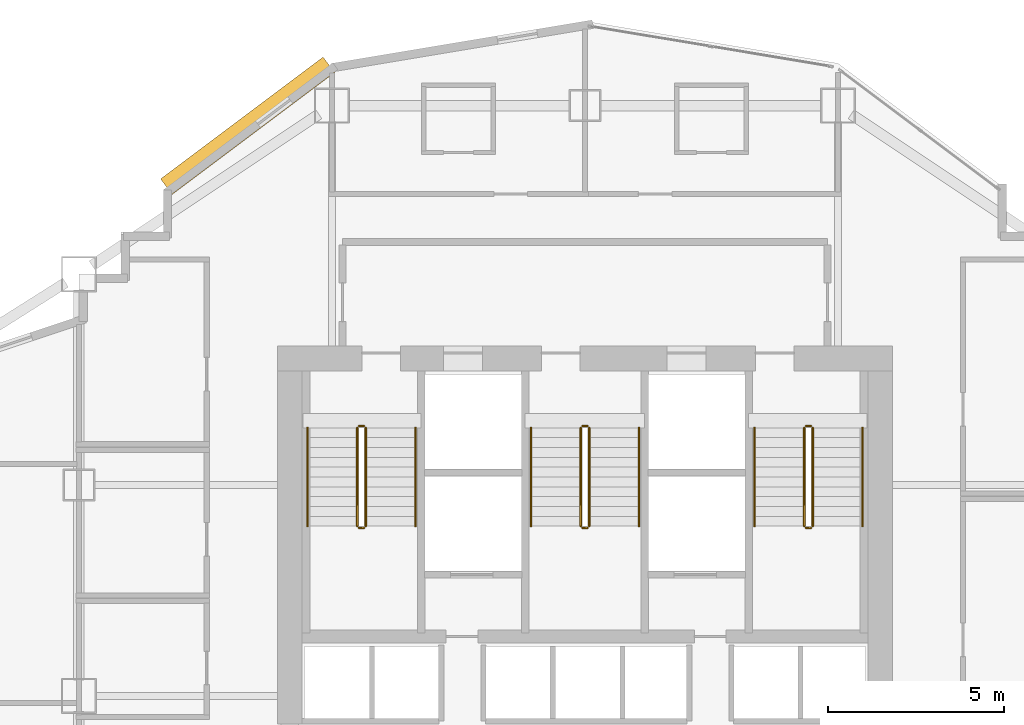
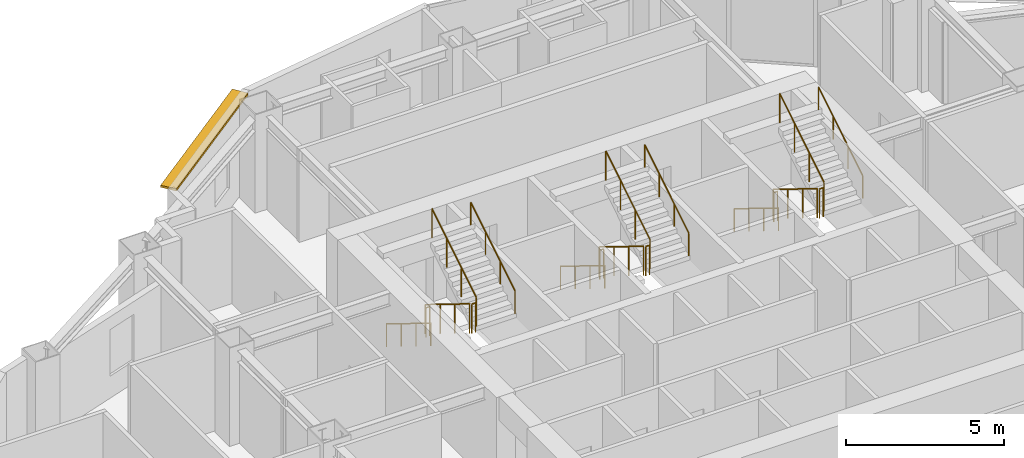
# One storey, part 12 of 13: 18 railings, 1 shading device.
"""IFC4 building model written with IfcOpenShell, lengths in metres."""

import ifcopenshell
import ifcopenshell.guid

model = None  # the IFC model being written
_history = None  # IfcOwnerHistory: only IFC2X3 demands one
_inside = {}  # id of a spatial element -> (the spatial element, [elements in it])
_under = {}  # id of a project, library or spatial element -> (it, [spatial elements below it])
_declared = {}  # id of a project -> (the project, [libraries it declares])
_typed = {}  # id of a type object -> (the type object, [elements of that type])
_made_of = {}  # id of a material, layer set ... -> (it, [elements and type objects made of it])


def new_model(schema):
    """Start an empty IFC model of exactly this schema.

    Asked for "IFC4X3", IfcOpenShell would pick the latest addendum, in which some entities
    have other attributes; the version numbers below select the first issue.
    IFC2X3 requires an IfcOwnerHistory on every rooted entity: one is made here for all.
    """
    global model, _history
    if schema == "IFC4X3":
        model = ifcopenshell.file(schema_version=(4, 3, 0, 0))
    else:
        model = ifcopenshell.file(schema=schema)
    _inside.clear()
    _under.clear()
    _declared.clear()
    _typed.clear()
    _made_of.clear()
    _history = None
    if model.schema == "IFC2X3":
        org = make("IfcOrganization", Name="unknown")
        user = make(
            "IfcPersonAndOrganization",
            ThePerson=make("IfcPerson", FamilyName="unknown"),
            TheOrganization=org,
        )
        app = make(
            "IfcApplication",
            ApplicationDeveloper=org,
            Version="unknown",
            ApplicationFullName="unknown",
            ApplicationIdentifier="unknown",
        )
        _history = make(
            "IfcOwnerHistory",
            OwningUser=user,
            OwningApplication=app,
            ChangeAction="ADDED",
            CreationDate=0,
        )
    return model


def make(cls, **values):
    """One entity of the class cls with the attributes given. An attribute that is None is left unset."""
    return model.create_entity(
        cls, **{name: value for name, value in values.items() if value is not None}
    )


def rooted(cls, **values):
    """An entity with a GlobalId (a new one), such as an element, a storey or a relation."""
    return make(cls, GlobalId=ifcopenshell.guid.new(), OwnerHistory=_history, **values)


def si_unit(unit_type, name, prefix=None):
    """IfcSIUnit, for example si_unit("LENGTHUNIT", "METRE", prefix="MILLI")."""
    return make("IfcSIUnit", UnitType=unit_type, Prefix=prefix, Name=name)


def assignment(units):
    """IfcUnitAssignment: the units of a project."""
    return None if units is None else make("IfcUnitAssignment", Units=units)


def point(xyz):
    """IfcCartesianPoint."""
    return None if xyz is None else make("IfcCartesianPoint", Coordinates=xyz)


def direction(xyz):
    """IfcDirection."""
    return None if xyz is None else make("IfcDirection", DirectionRatios=xyz)


def frame(location, z_axis=None, x_axis=None):
    """IfcAxis2Placement3D, a coordinate frame: its origin and axes. An axis left out is left unset."""
    return make(
        "IfcAxis2Placement3D",
        Location=point(location),
        Axis=direction(z_axis),
        RefDirection=direction(x_axis),
    )


def frame_2d(location, x_axis=None):
    """IfcAxis2Placement2D, a coordinate frame in the plane: its origin and x axis."""
    return make(
        "IfcAxis2Placement2D", Location=point(location), RefDirection=direction(x_axis)
    )


def origin():
    """The frame at (0, 0, 0) with its axes left unset."""
    return frame((0.0, 0.0, 0.0))


def origin_2d():
    """The frame at (0, 0) in the plane with its x axis left unset."""
    return frame_2d((0.0, 0.0))


def place(relative_to, where):
    """IfcLocalPlacement: puts the frame where relative to a parent placement (None: the world)."""
    return make(
        "IfcLocalPlacement", PlacementRelTo=relative_to, RelativePlacement=where
    )


def context(
    kind, dimensions, precision=None, world=None, true_north=None, identifier=None
):
    """IfcGeometricRepresentationContext, for example the 3D "Model" context."""
    return make(
        "IfcGeometricRepresentationContext",
        ContextIdentifier=identifier,
        ContextType=kind,
        CoordinateSpaceDimension=dimensions,
        Precision=precision,
        WorldCoordinateSystem=world,
        TrueNorth=true_north,
    )


def subcontext(parent, identifier, kind, view, scale=None):
    """IfcGeometricRepresentationSubContext, for example "Body" below "Model"."""
    return make(
        "IfcGeometricRepresentationSubContext",
        ContextIdentifier=identifier,
        ContextType=kind,
        ParentContext=parent,
        TargetScale=scale,
        TargetView=view,
    )


def project(units=None, contexts=None):
    """IfcProject with its units and contexts."""
    return rooted(
        "IfcProject",
        Name="project",
        RepresentationContexts=contexts,
        UnitsInContext=assignment(units),
    )


def spatial(cls, under=None, at=None, **own):
    """A site, building, storey or space (cls), placed at a placement, below another one or the project."""
    s = rooted(cls, ObjectPlacement=at, **own)
    if under is not None:
        _under.setdefault(under.id(), (under, []))[1].append(s)
    return s


def profile(cls, at=None, kind="AREA", **sizes):
    """A parametric profile (cls). Its sizes go by their IFC names, for example OverallWidth=200.0."""
    return make(cls, ProfileType=kind, Position=at, **sizes)


def rectangle(**sizes):
    """IfcRectangleProfileDef."""
    return profile("IfcRectangleProfileDef", **sizes)


def circle(**sizes):
    """IfcCircleProfileDef."""
    return profile("IfcCircleProfileDef", **sizes)


def extrude(swept, where, along, depth):
    """IfcExtrudedAreaSolid: the profile swept, set in the frame where, extruded along a direction by depth."""
    return make(
        "IfcExtrudedAreaSolid",
        SweptArea=swept,
        Position=where,
        ExtrudedDirection=direction(along),
        Depth=depth,
    )


def shape(context_of_items, identifier, shape_type, items):
    """IfcShapeRepresentation: the items that make up one representation, for example the "Body"."""
    return make(
        "IfcShapeRepresentation",
        ContextOfItems=context_of_items,
        RepresentationIdentifier=identifier,
        RepresentationType=shape_type,
        Items=items,
    )


def material(Name=None, Category=None):
    """IfcMaterial."""
    return make("IfcMaterial", Name=Name, Category=Category)


def layer(
    of_material, thickness, ventilated=None, Name=None, Category=None, Priority=None
):
    """IfcMaterialLayer: one layer of a wall or slab, of a material (None: an air gap)."""
    return make(
        "IfcMaterialLayer",
        Material=of_material,
        LayerThickness=thickness,
        IsVentilated=ventilated,
        Name=Name,
        Category=Category,
        Priority=Priority,
    )


def layer_set(layers, Name=None):
    """IfcMaterialLayerSet."""
    return make("IfcMaterialLayerSet", MaterialLayers=layers, LayerSetName=Name)


def made_of(thing, what):
    """Note that an element or type object is made of a material, layer set ...; save() writes the relation."""
    if what is not None:
        _made_of.setdefault(what.id(), (what, []))[1].append(thing)
    return thing


def type_object(cls, material=None, **own):
    """A type object (cls), such as IfcWallType, which elements share."""
    return made_of(rooted(cls, **own), material)


def element(
    cls,
    number,
    at=None,
    inside=None,
    cuts=None,
    type_object=None,
    material=None,
    context=None,
    identifier="Body",
    shape_type=None,
    held_by="IfcProductDefinitionShape",
    body=None,
    shapes=None,
    **own,
):
    """One element of the class cls, such as IfcWall. Its Tag is "e" and its number.

    at: its placement. inside: the storey or other place that contains it. cuts: it is an
    opening in that element (IfcRelVoidsElement). A single representation is given by context,
    identifier, shape_type and body (its items); several are given by shapes. held_by: the class
    of the entity that holds the representations. save() writes the other relations.
    """
    e = rooted(cls, Tag="e%d" % number, ObjectPlacement=at, **own)
    if body is not None:
        shapes = [shape(context, identifier, shape_type, body)]
    if shapes is not None:
        e.Representation = make(held_by, Representations=shapes)
    if inside is not None:
        _inside.setdefault(inside.id(), (inside, []))[1].append(e)
    if cuts is not None:
        rooted(
            "IfcRelVoidsElement", RelatingBuildingElement=cuts, RelatedOpeningElement=e
        )
    if type_object is not None:
        _typed.setdefault(type_object.id(), (type_object, []))[1].append(e)
    return made_of(e, material)


def aggregate(whole, parts):
    """IfcRelAggregates: a whole, such as a stair, and the parts it consists of."""
    return rooted("IfcRelAggregates", RelatingObject=whole, RelatedObjects=parts)


def save(model, path):
    """Write the relations noted so far, then the file.

    IfcRelAggregates (storeys below a building ...), IfcRelContainedInSpatialStructure (elements
    in a storey), IfcRelDefinesByType, IfcRelAssociatesMaterial and IfcRelDeclares: one each for
    every whole, place, type object, material and project.
    """
    for whole, parts in _under.values():
        aggregate(whole, parts)
    for where, things in _inside.values():
        rooted(
            "IfcRelContainedInSpatialStructure",
            RelatedElements=things,
            RelatingStructure=where,
        )
    for kind, things in _typed.values():
        rooted("IfcRelDefinesByType", RelatedObjects=things, RelatingType=kind)
    for what, things in _made_of.values():
        rooted("IfcRelAssociatesMaterial", RelatedObjects=things, RelatingMaterial=what)
    for by, libraries in _declared.values():
        rooted("IfcRelDeclares", RelatingContext=by, RelatedDefinitions=libraries)
    model.write(path)


model = new_model("IFC4")

# Units and contexts
model_context = context("Model", 3, precision=1e-05, world=origin(), true_north=direction((0.0, 1.0)))
body_context = subcontext(model_context, "Body", "Model", "MODEL_VIEW")
ifc_project = project(units=[si_unit("LENGTHUNIT", "METRE"), si_unit("AREAUNIT", "SQUARE_METRE"), si_unit("VOLUMEUNIT", "CUBIC_METRE"), si_unit("PLANEANGLEUNIT", "RADIAN"), si_unit("MASSUNIT", "GRAM", prefix="KILO")], contexts=[model_context])

# Site, building, storey
site_placement = place(None, origin())
site = spatial("IfcSite", under=ifc_project, at=site_placement, CompositionType="ELEMENT")
building_placement = place(site_placement, origin())
building = spatial("IfcBuilding", under=site, at=building_placement, Name="Haolan Belvedere Tower", CompositionType="ELEMENT")
storey_placement = place(building_placement, frame((0.0, 0.0, 102.199951171875)))
storey = spatial("IfcBuildingStorey", under=building, at=storey_placement, Name="L25", CompositionType="ELEMENT", Elevation=102.199951171875)

# Railings
ifc_material_1 = material(Name="Brushed stainless steel 304", Category="steel")
railing_type_1 = type_object("IfcRailingType", Name="RL-STAIR-GRD-1150", PredefinedType="GUARDRAIL", material=ifc_material_1)
railing_1_placement = place(storey_placement, frame((31.919921875, 41.22998046875, 0.1728515625)))
element("IfcRailing", 1, at=railing_1_placement, inside=storey, type_object=railing_type_1, Name="L25 ST1 stair guard 1", PredefinedType="GUARDRAIL", context=body_context, shape_type="SweptSolid", body=[
    extrude(circle(Radius=0.02392578125, at=origin_2d()), frame((0.0, 0.0, 1.1259765625), z_axis=(0.0, -0.851089632645, 0.525020415988), x_axis=(1.0, 0.0, 0.0)), (0.0, 0.0, 1.0), 3.2900390625),
    extrude(circle(Radius=0.02099609375, at=origin_2d()), origin(), (0.0, 0.0, 1.0), 1.101806640625),
    extrude(circle(Radius=0.02099609375, at=origin_2d()), frame((0.0, -0.933349609375, 0.57568359375)), (0.0, 0.0, 1.0), 1.101806640625),
    extrude(circle(Radius=0.02099609375, at=origin_2d()), frame((0.0, -1.86669921875, 1.151611328125)), (0.0, 0.0, 1.0), 1.101806640625),
    extrude(circle(Radius=0.02099609375, at=origin_2d()), frame((0.0, -2.800048828125, 1.727294921875)), (0.0, 0.0, 1.0), 1.101806640625),
])
railing_2_placement = place(storey_placement, frame((31.969970703125, 38.3798828125, 1.900146484375)))
element("IfcRailing", 2, at=railing_2_placement, inside=storey, type_object=railing_type_1, Name="L25 ST1 stair guard 2", PredefinedType="GUARDRAIL", context=body_context, shape_type="SweptSolid", body=[
    extrude(circle(Radius=0.02392578125, at=origin_2d()), frame((0.0, 0.0, 1.1259765625), z_axis=(1.0, 0.0, 0.0), x_axis=(0.0, 1.0, 0.0)), (0.0, 0.0, 1.0), 0.14013671875),
    extrude(circle(Radius=0.02099609375, at=origin_2d()), origin(), (0.0, 0.0, 1.0), 1.101806640625),
    extrude(circle(Radius=0.02099609375, at=origin_2d()), frame((0.14013671875, 0.0, 0.0)), (0.0, 0.0, 1.0), 1.101806640625),
])
railing_3_placement = place(storey_placement, frame((32.159912109375, 38.429931640625, 2.07275390625)))
element("IfcRailing", 3, at=railing_3_placement, inside=storey, type_object=railing_type_1, Name="L25 ST1 stair guard 3", PredefinedType="GUARDRAIL", context=body_context, shape_type="SweptSolid", body=[
    extrude(circle(Radius=0.02392578125, at=origin_2d()), frame((0.0, 0.0, 1.1259765625), z_axis=(0.0, 0.851089632645, 0.525020415988), x_axis=(-1.0, 0.0, 0.0)), (0.0, 0.0, 1.0), 3.2900390625),
    extrude(circle(Radius=0.02099609375, at=origin_2d()), origin(), (0.0, 0.0, 1.0), 1.101806640625),
    extrude(circle(Radius=0.02099609375, at=origin_2d()), frame((0.0, 0.933349609375, 0.57568359375)), (0.0, 0.0, 1.0), 1.101806640625),
    extrude(circle(Radius=0.02099609375, at=origin_2d()), frame((0.0, 1.86669921875, 1.151611328125)), (0.0, 0.0, 1.0), 1.101806640625),
    extrude(circle(Radius=0.02099609375, at=origin_2d()), frame((0.0, 2.800048828125, 1.727294921875)), (0.0, 0.0, 1.0), 1.101806640625),
])
railing_4_placement = place(storey_placement, frame((31.969970703125, 41.280029296875, 0.0)))
element("IfcRailing", 4, at=railing_4_placement, inside=storey, type_object=railing_type_1, Name="L25 ST1 stair guard 4", PredefinedType="GUARDRAIL", context=body_context, shape_type="SweptSolid", body=[
    extrude(circle(Radius=0.02392578125, at=origin_2d()), frame((0.0, 0.0, 1.1259765625), z_axis=(1.0, 0.0, 0.0), x_axis=(0.0, 1.0, 0.0)), (0.0, 0.0, 1.0), 0.14013671875),
    extrude(circle(Radius=0.02099609375, at=origin_2d()), origin(), (0.0, 0.0, 1.0), 1.101806640625),
    extrude(circle(Radius=0.02099609375, at=origin_2d()), frame((0.14013671875, 0.0, 0.0)), (0.0, 0.0, 1.0), 1.101806640625),
])
railing_5_placement = place(storey_placement, frame((38.280029296875, 41.22998046875, 0.1728515625)))
element("IfcRailing", 5, at=railing_5_placement, inside=storey, type_object=railing_type_1, Name="L25 ST3 stair guard 1", PredefinedType="GUARDRAIL", context=body_context, shape_type="SweptSolid", body=[
    extrude(circle(Radius=0.02392578125, at=origin_2d()), frame((0.0, 0.0, 1.1259765625), z_axis=(0.0, -0.851089632645, 0.525020415988), x_axis=(1.0, 0.0, 0.0)), (0.0, 0.0, 1.0), 3.2900390625),
    extrude(circle(Radius=0.02099609375, at=origin_2d()), origin(), (0.0, 0.0, 1.0), 1.101806640625),
    extrude(circle(Radius=0.02099609375, at=origin_2d()), frame((0.0, -0.933349609375, 0.57568359375)), (0.0, 0.0, 1.0), 1.101806640625),
    extrude(circle(Radius=0.02099609375, at=origin_2d()), frame((0.0, -1.86669921875, 1.151611328125)), (0.0, 0.0, 1.0), 1.101806640625),
    extrude(circle(Radius=0.02099609375, at=origin_2d()), frame((0.0, -2.800048828125, 1.727294921875)), (0.0, 0.0, 1.0), 1.101806640625),
])
railing_6_placement = place(storey_placement, frame((38.330078125, 38.3798828125, 1.900146484375)))
element("IfcRailing", 6, at=railing_6_placement, inside=storey, type_object=railing_type_1, Name="L25 ST3 stair guard 2", PredefinedType="GUARDRAIL", context=body_context, shape_type="SweptSolid", body=[
    extrude(circle(Radius=0.02392578125, at=origin_2d()), frame((0.0, 0.0, 1.1259765625), z_axis=(1.0, 0.0, 0.0), x_axis=(0.0, 1.0, 0.0)), (0.0, 0.0, 1.0), 0.139892578125),
    extrude(circle(Radius=0.02099609375, at=origin_2d()), origin(), (0.0, 0.0, 1.0), 1.101806640625),
    extrude(circle(Radius=0.02099609375, at=origin_2d()), frame((0.139892578125, 0.0, 0.0)), (0.0, 0.0, 1.0), 1.101806640625),
])
railing_7_placement = place(storey_placement, frame((38.52001953125, 38.429931640625, 2.07275390625)))
element("IfcRailing", 7, at=railing_7_placement, inside=storey, type_object=railing_type_1, Name="L25 ST3 stair guard 3", PredefinedType="GUARDRAIL", context=body_context, shape_type="SweptSolid", body=[
    extrude(circle(Radius=0.02392578125, at=origin_2d()), frame((0.0, 0.0, 1.1259765625), z_axis=(0.0, 0.851089632645, 0.525020415988), x_axis=(-1.0, 0.0, 0.0)), (0.0, 0.0, 1.0), 3.2900390625),
    extrude(circle(Radius=0.02099609375, at=origin_2d()), origin(), (0.0, 0.0, 1.0), 1.101806640625),
    extrude(circle(Radius=0.02099609375, at=origin_2d()), frame((0.0, 0.933349609375, 0.57568359375)), (0.0, 0.0, 1.0), 1.101806640625),
    extrude(circle(Radius=0.02099609375, at=origin_2d()), frame((0.0, 1.86669921875, 1.151611328125)), (0.0, 0.0, 1.0), 1.101806640625),
    extrude(circle(Radius=0.02099609375, at=origin_2d()), frame((0.0, 2.800048828125, 1.727294921875)), (0.0, 0.0, 1.0), 1.101806640625),
])
railing_8_placement = place(storey_placement, frame((38.330078125, 41.280029296875, 0.0)))
element("IfcRailing", 8, at=railing_8_placement, inside=storey, type_object=railing_type_1, Name="L25 ST3 stair guard 4", PredefinedType="GUARDRAIL", context=body_context, shape_type="SweptSolid", body=[
    extrude(circle(Radius=0.02392578125, at=origin_2d()), frame((0.0, 0.0, 1.1259765625), z_axis=(1.0, 0.0, 0.0), x_axis=(0.0, 1.0, 0.0)), (0.0, 0.0, 1.0), 0.139892578125),
    extrude(circle(Radius=0.02099609375, at=origin_2d()), origin(), (0.0, 0.0, 1.0), 1.101806640625),
    extrude(circle(Radius=0.02099609375, at=origin_2d()), frame((0.139892578125, 0.0, 0.0)), (0.0, 0.0, 1.0), 1.101806640625),
])
railing_9_placement = place(storey_placement, frame((44.639892578125, 41.22998046875, 0.1728515625)))
element("IfcRailing", 9, at=railing_9_placement, inside=storey, type_object=railing_type_1, Name="L25 ST2 stair guard 1", PredefinedType="GUARDRAIL", context=body_context, shape_type="SweptSolid", body=[
    extrude(circle(Radius=0.02392578125, at=origin_2d()), frame((0.0, 0.0, 1.1259765625), z_axis=(0.0, -0.851089632645, 0.525020415988), x_axis=(1.0, 0.0, 0.0)), (0.0, 0.0, 1.0), 3.2900390625),
    extrude(circle(Radius=0.02099609375, at=origin_2d()), origin(), (0.0, 0.0, 1.0), 1.101806640625),
    extrude(circle(Radius=0.02099609375, at=origin_2d()), frame((0.0, -0.933349609375, 0.57568359375)), (0.0, 0.0, 1.0), 1.101806640625),
    extrude(circle(Radius=0.02099609375, at=origin_2d()), frame((0.0, -1.86669921875, 1.151611328125)), (0.0, 0.0, 1.0), 1.101806640625),
    extrude(circle(Radius=0.02099609375, at=origin_2d()), frame((0.0, -2.800048828125, 1.727294921875)), (0.0, 0.0, 1.0), 1.101806640625),
])
railing_10_placement = place(storey_placement, frame((44.68994140625, 38.3798828125, 1.900146484375)))
element("IfcRailing", 10, at=railing_10_placement, inside=storey, type_object=railing_type_1, Name="L25 ST2 stair guard 2", PredefinedType="GUARDRAIL", context=body_context, shape_type="SweptSolid", body=[
    extrude(circle(Radius=0.02392578125, at=origin_2d()), frame((0.0, 0.0, 1.1259765625), z_axis=(1.0, 0.0, 0.0), x_axis=(0.0, 1.0, 0.0)), (0.0, 0.0, 1.0), 0.14013671875),
    extrude(circle(Radius=0.02099609375, at=origin_2d()), origin(), (0.0, 0.0, 1.0), 1.101806640625),
    extrude(circle(Radius=0.02099609375, at=origin_2d()), frame((0.14013671875, 0.0, 0.0)), (0.0, 0.0, 1.0), 1.101806640625),
])
railing_11_placement = place(storey_placement, frame((44.8798828125, 38.429931640625, 2.07275390625)))
element("IfcRailing", 11, at=railing_11_placement, inside=storey, type_object=railing_type_1, Name="L25 ST2 stair guard 3", PredefinedType="GUARDRAIL", context=body_context, shape_type="SweptSolid", body=[
    extrude(circle(Radius=0.02392578125, at=origin_2d()), frame((0.0, 0.0, 1.1259765625), z_axis=(0.0, 0.851089632645, 0.525020415988), x_axis=(-1.0, 0.0, 0.0)), (0.0, 0.0, 1.0), 3.2900390625),
    extrude(circle(Radius=0.02099609375, at=origin_2d()), origin(), (0.0, 0.0, 1.0), 1.101806640625),
    extrude(circle(Radius=0.02099609375, at=origin_2d()), frame((0.0, 0.933349609375, 0.57568359375)), (0.0, 0.0, 1.0), 1.101806640625),
    extrude(circle(Radius=0.02099609375, at=origin_2d()), frame((0.0, 1.86669921875, 1.151611328125)), (0.0, 0.0, 1.0), 1.101806640625),
    extrude(circle(Radius=0.02099609375, at=origin_2d()), frame((0.0, 2.800048828125, 1.727294921875)), (0.0, 0.0, 1.0), 1.101806640625),
])
railing_12_placement = place(storey_placement, frame((44.68994140625, 41.280029296875, 0.0)))
element("IfcRailing", 12, at=railing_12_placement, inside=storey, type_object=railing_type_1, Name="L25 ST2 stair guard 4", PredefinedType="GUARDRAIL", context=body_context, shape_type="SweptSolid", body=[
    extrude(circle(Radius=0.02392578125, at=origin_2d()), frame((0.0, 0.0, 1.1259765625), z_axis=(1.0, 0.0, 0.0), x_axis=(0.0, 1.0, 0.0)), (0.0, 0.0, 1.0), 0.14013671875),
    extrude(circle(Radius=0.02099609375, at=origin_2d()), origin(), (0.0, 0.0, 1.0), 1.101806640625),
    extrude(circle(Radius=0.02099609375, at=origin_2d()), frame((0.14013671875, 0.0, 0.0)), (0.0, 0.0, 1.0), 1.101806640625),
])
railing_type_2 = type_object("IfcRailingType", Name="RL-STAIR-HND-900", PredefinedType="HANDRAIL", material=ifc_material_1)
railing_13_placement = place(storey_placement, frame((30.5, 41.22998046875, 0.1728515625)))
element("IfcRailing", 13, at=railing_13_placement, inside=storey, type_object=railing_type_2, Name="L25 ST1 stair handrail 1", PredefinedType="HANDRAIL", context=body_context, shape_type="SweptSolid", body=[
    extrude(circle(Radius=0.02392578125, at=origin_2d()), frame((0.0, 0.0, 0.8759765625), z_axis=(0.0, -0.851089632645, 0.525020415988), x_axis=(1.0, 0.0, 0.0)), (0.0, 0.0, 1.0), 3.2900390625),
    extrude(circle(Radius=0.02099609375, at=origin_2d()), origin(), (0.0, 0.0, 1.0), 0.851806640625),
    extrude(circle(Radius=0.02099609375, at=origin_2d()), frame((0.0, -0.933349609375, 0.57568359375)), (0.0, 0.0, 1.0), 0.851806640625),
    extrude(circle(Radius=0.02099609375, at=origin_2d()), frame((0.0, -1.86669921875, 1.151611328125)), (0.0, 0.0, 1.0), 0.851806640625),
    extrude(circle(Radius=0.02099609375, at=origin_2d()), frame((0.0, -2.800048828125, 1.727294921875)), (0.0, 0.0, 1.0), 0.851806640625),
])
railing_14_placement = place(storey_placement, frame((33.580078125, 38.429931640625, 2.07275390625)))
element("IfcRailing", 14, at=railing_14_placement, inside=storey, type_object=railing_type_2, Name="L25 ST1 stair handrail 2", PredefinedType="HANDRAIL", context=body_context, shape_type="SweptSolid", body=[
    extrude(circle(Radius=0.02392578125, at=origin_2d()), frame((0.0, 0.0, 0.8759765625), z_axis=(0.0, 0.851089632645, 0.525020415988), x_axis=(-1.0, 0.0, 0.0)), (0.0, 0.0, 1.0), 3.2900390625),
    extrude(circle(Radius=0.02099609375, at=origin_2d()), origin(), (0.0, 0.0, 1.0), 0.851806640625),
    extrude(circle(Radius=0.02099609375, at=origin_2d()), frame((0.0, 0.933349609375, 0.57568359375)), (0.0, 0.0, 1.0), 0.851806640625),
    extrude(circle(Radius=0.02099609375, at=origin_2d()), frame((0.0, 1.86669921875, 1.151611328125)), (0.0, 0.0, 1.0), 0.851806640625),
    extrude(circle(Radius=0.02099609375, at=origin_2d()), frame((0.0, 2.800048828125, 1.727294921875)), (0.0, 0.0, 1.0), 0.851806640625),
])
railing_15_placement = place(storey_placement, frame((36.860107421875, 41.22998046875, 0.1728515625)))
element("IfcRailing", 15, at=railing_15_placement, inside=storey, type_object=railing_type_2, Name="L25 ST3 stair handrail 1", PredefinedType="HANDRAIL", context=body_context, shape_type="SweptSolid", body=[
    extrude(circle(Radius=0.02392578125, at=origin_2d()), frame((0.0, 0.0, 0.8759765625), z_axis=(0.0, -0.851089632645, 0.525020415988), x_axis=(1.0, 0.0, 0.0)), (0.0, 0.0, 1.0), 3.2900390625),
    extrude(circle(Radius=0.02099609375, at=origin_2d()), origin(), (0.0, 0.0, 1.0), 0.851806640625),
    extrude(circle(Radius=0.02099609375, at=origin_2d()), frame((0.0, -0.933349609375, 0.57568359375)), (0.0, 0.0, 1.0), 0.851806640625),
    extrude(circle(Radius=0.02099609375, at=origin_2d()), frame((0.0, -1.86669921875, 1.151611328125)), (0.0, 0.0, 1.0), 0.851806640625),
    extrude(circle(Radius=0.02099609375, at=origin_2d()), frame((0.0, -2.800048828125, 1.727294921875)), (0.0, 0.0, 1.0), 0.851806640625),
])
railing_16_placement = place(storey_placement, frame((39.93994140625, 38.429931640625, 2.07275390625)))
element("IfcRailing", 16, at=railing_16_placement, inside=storey, type_object=railing_type_2, Name="L25 ST3 stair handrail 2", PredefinedType="HANDRAIL", context=body_context, shape_type="SweptSolid", body=[
    extrude(circle(Radius=0.02392578125, at=origin_2d()), frame((0.0, 0.0, 0.8759765625), z_axis=(0.0, 0.851089632645, 0.525020415988), x_axis=(-1.0, 0.0, 0.0)), (0.0, 0.0, 1.0), 3.2900390625),
    extrude(circle(Radius=0.02099609375, at=origin_2d()), origin(), (0.0, 0.0, 1.0), 0.851806640625),
    extrude(circle(Radius=0.02099609375, at=origin_2d()), frame((0.0, 0.933349609375, 0.57568359375)), (0.0, 0.0, 1.0), 0.851806640625),
    extrude(circle(Radius=0.02099609375, at=origin_2d()), frame((0.0, 1.86669921875, 1.151611328125)), (0.0, 0.0, 1.0), 0.851806640625),
    extrude(circle(Radius=0.02099609375, at=origin_2d()), frame((0.0, 2.800048828125, 1.727294921875)), (0.0, 0.0, 1.0), 0.851806640625),
])
railing_17_placement = place(storey_placement, frame((43.219970703125, 41.22998046875, 0.1728515625)))
element("IfcRailing", 17, at=railing_17_placement, inside=storey, type_object=railing_type_2, Name="L25 ST2 stair handrail 1", PredefinedType="HANDRAIL", context=body_context, shape_type="SweptSolid", body=[
    extrude(circle(Radius=0.02392578125, at=origin_2d()), frame((0.0, 0.0, 0.8759765625), z_axis=(0.0, -0.851089632645, 0.525020415988), x_axis=(1.0, 0.0, 0.0)), (0.0, 0.0, 1.0), 3.2900390625),
    extrude(circle(Radius=0.02099609375, at=origin_2d()), origin(), (0.0, 0.0, 1.0), 0.851806640625),
    extrude(circle(Radius=0.02099609375, at=origin_2d()), frame((0.0, -0.933349609375, 0.57568359375)), (0.0, 0.0, 1.0), 0.851806640625),
    extrude(circle(Radius=0.02099609375, at=origin_2d()), frame((0.0, -1.86669921875, 1.151611328125)), (0.0, 0.0, 1.0), 0.851806640625),
    extrude(circle(Radius=0.02099609375, at=origin_2d()), frame((0.0, -2.800048828125, 1.727294921875)), (0.0, 0.0, 1.0), 0.851806640625),
])
railing_18_placement = place(storey_placement, frame((46.300048828125, 38.429931640625, 2.07275390625)))
element("IfcRailing", 18, at=railing_18_placement, inside=storey, type_object=railing_type_2, Name="L25 ST2 stair handrail 2", PredefinedType="HANDRAIL", context=body_context, shape_type="SweptSolid", body=[
    extrude(circle(Radius=0.02392578125, at=origin_2d()), frame((0.0, 0.0, 0.8759765625), z_axis=(0.0, 0.851089632645, 0.525020415988), x_axis=(-1.0, 0.0, 0.0)), (0.0, 0.0, 1.0), 3.2900390625),
    extrude(circle(Radius=0.02099609375, at=origin_2d()), origin(), (0.0, 0.0, 1.0), 0.851806640625),
    extrude(circle(Radius=0.02099609375, at=origin_2d()), frame((0.0, 0.933349609375, 0.57568359375)), (0.0, 0.0, 1.0), 0.851806640625),
    extrude(circle(Radius=0.02099609375, at=origin_2d()), frame((0.0, 1.86669921875, 1.151611328125)), (0.0, 0.0, 1.0), 0.851806640625),
    extrude(circle(Radius=0.02099609375, at=origin_2d()), frame((0.0, 2.800048828125, 1.727294921875)), (0.0, 0.0, 1.0), 0.851806640625),
])

# Shading device
ifc_material_2 = material(Name="Anodised champagne-silver aluminium 6063-T6", Category="aluminium")
ifc_layer = layer(ifc_material_2, 0.080078125, Name="Anodised champagne-silver aluminium 6063-T6")
ifc_layer_set = layer_set([ifc_layer], Name="Anodised champagne-silver aluminium 6063-T6")
shading_device_type = type_object("IfcShadingDeviceType", Name="SHD-SUN-550", PredefinedType="USERDEFINED", material=ifc_layer_set)
shading_device_placement = place(storey_placement, frame((28.80029296875, 49.8251953125, 3.5), z_axis=(0.0, 0.0, 1.0), x_axis=(-0.799998928149, -0.600001429133, 0.0)))
element("IfcShadingDevice", 19, at=shading_device_placement, inside=storey, type_object=shading_device_type, Name="L25 pale-metal horizontal SUNSHADE band 29.1", ObjectType="SUNSHADE", PredefinedType="USERDEFINED", context=body_context, shape_type="SweptSolid", body=[
    extrude(rectangle(XDim=5.78076171875, YDim=0.550048828125, at=origin_2d()), origin(), (0.0, 0.0, 1.0), 0.080078125),
])

save(model, "model.ifc")
